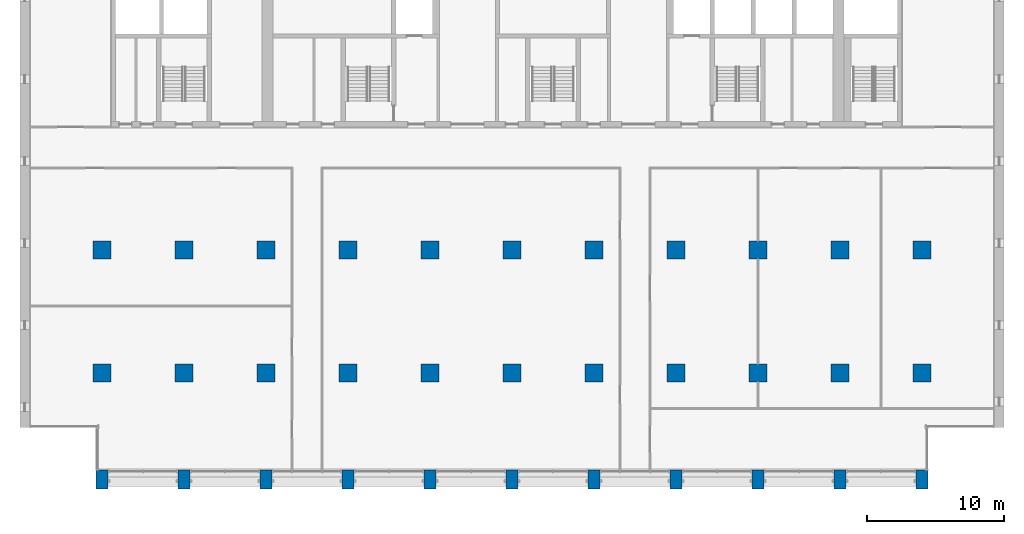
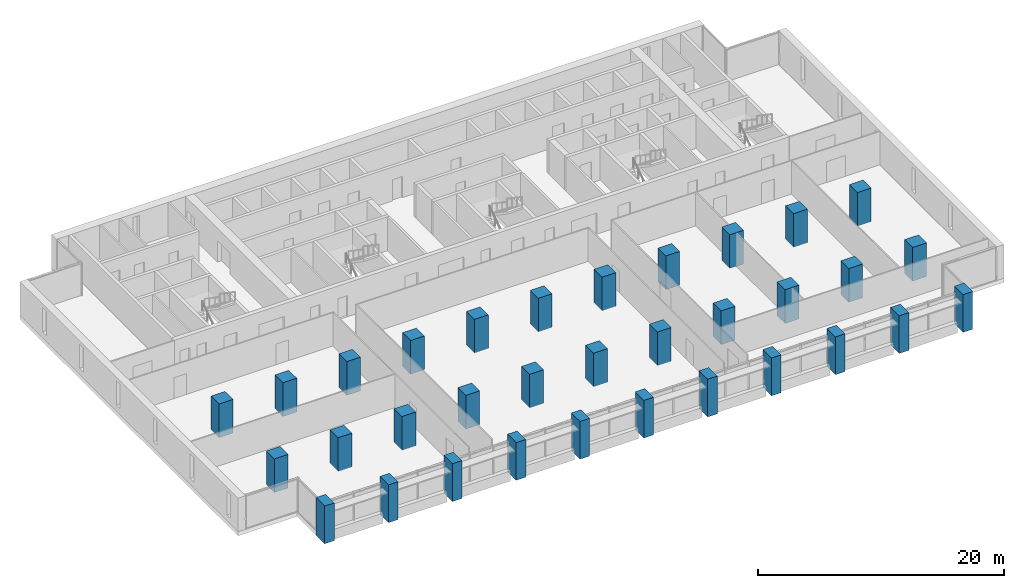
# One storey, part 1 of 15: 33 columns.
"""IFC4 building model written with IfcOpenShell, lengths in metres."""

from ifc_helpers import new_model, si_unit, direction, frame, origin, origin_2d, place, context, subcontext, project, spatial, rectangle, extrude, material, material_profile, profile_set, type_object, element, save


model = new_model("IFC4")

# Units and contexts
model_context = context("Model", 3, precision=1e-05, world=origin(), true_north=direction((0.0, 1.0)))
body_context = subcontext(model_context, "Body", "Model", "MODEL_VIEW")
ifc_project = project(units=[si_unit("LENGTHUNIT", "METRE"), si_unit("AREAUNIT", "SQUARE_METRE"), si_unit("VOLUMEUNIT", "CUBIC_METRE"), si_unit("PLANEANGLEUNIT", "RADIAN"), si_unit("MASSUNIT", "GRAM", prefix="KILO")], contexts=[model_context])

# Site, building, storey
site_placement = place(None, origin())
site = spatial("IfcSite", under=ifc_project, at=site_placement, CompositionType="ELEMENT")
building_placement = place(site_placement, origin())
building = spatial("IfcBuilding", under=site, at=building_placement, Name="Calvaro Tower", CompositionType="ELEMENT")
storey_placement = place(building_placement, frame((0.0, 0.0, 132.5)))
storey = spatial("IfcBuildingStorey", under=building, at=storey_placement, Name="L33", CompositionType="ELEMENT", Elevation=132.5)

# Columns
ifc_material_1 = material(Name="Concrete C60/75", Category="concrete")
ifc_material_profile_1 = material_profile(ifc_material_1, rectangle(XDim=1.300048828125, YDim=1.300048828125, at=origin_2d()), Name="RC 1300x1300")
ifc_profile_set_1 = profile_set([ifc_material_profile_1], Name="Concrete C60/75")
column_type_1 = type_object("IfcColumnType", Name="Column 1300x1300 C60/75", PredefinedType="COLUMN", material=ifc_profile_set_1)
for number, where, z_axis, x_axis, name in (
    (1, (6.0, 10.0, 0.0), (0.0, 0.0, 1.0), (1.0, 0.0, 0.0), "Column 2B"),
    (2, (6.0, 19.0, 0.0), (0.0, 0.0, 1.0), (1.0, 0.0, 0.0), "Column 2C"),
    (3, (12.0, 10.0, 0.0), (0.0, 0.0, 1.0), (1.0, 0.0, 0.0), "Column 3B"),
    (4, (12.0, 19.0, 0.0), (0.0, 0.0, 1.0), (1.0, 0.0, 0.0), "Column 3C"),
    (5, (18.0, 10.0, 0.0), (0.0, 0.0, 1.0), (1.0, 0.0, 0.0), "Column 4B"),
    (6, (18.0, 19.0, 0.0), (0.0, 0.0, 1.0), (1.0, 0.0, 0.0), "Column 4C"),
    (7, (24.0, 10.0, 0.0), (0.0, 0.0, 1.0), (1.0, 0.0, 0.0), "Column 5B"),
    (8, (24.0, 19.0, 0.0), (0.0, 0.0, 1.0), (1.0, 0.0, 0.0), "Column 5C"),
    (9, (30.0, 10.0, 0.0), (0.0, 0.0, 1.0), (1.0, 0.0, 0.0), "Column 6B"),
    (10, (30.0, 19.0, 0.0), (0.0, 0.0, 1.0), (1.0, 0.0, 0.0), "Column 6C"),
    (11, (36.0, 10.0, 0.0), (0.0, 0.0, 1.0), (1.0, 0.0, 0.0), "Column 7B"),
    (12, (36.0, 19.0, 0.0), (0.0, 0.0, 1.0), (1.0, 0.0, 0.0), "Column 7C"),
    (13, (42.0, 10.0, 0.0), (0.0, 0.0, 1.0), (1.0, 0.0, 0.0), "Column 8B"),
    (14, (42.0, 19.0, 0.0), (0.0, 0.0, 1.0), (1.0, 0.0, 0.0), "Column 8C"),
    (15, (48.0, 10.0, 0.0), (0.0, 0.0, 1.0), (1.0, 0.0, 0.0), "Column 9B"),
    (16, (48.0, 19.0, 0.0), (0.0, 0.0, 1.0), (1.0, 0.0, 0.0), "Column 9C"),
    (17, (54.0, 10.0, 0.0), (0.0, 0.0, 1.0), (1.0, 0.0, 0.0), "Column 10B"),
    (18, (54.0, 19.0, 0.0), (0.0, 0.0, 1.0), (1.0, 0.0, 0.0), "Column 10C"),
    (19, (60.0, 10.0, 0.0), (0.0, 0.0, 1.0), (1.0, 0.0, 0.0), "Column 11B"),
    (20, (60.0, 19.0, 0.0), (0.0, 0.0, 1.0), (1.0, 0.0, 0.0), "Column 11C"),
    (21, (66.0, 10.0, 0.0), (0.0, 0.0, 1.0), (1.0, 0.0, 0.0), "Column 12B"),
    (22, (66.0, 19.0, 0.0), (0.0, 0.0, 1.0), (1.0, 0.0, 0.0), "Column 12C"),
):
    element("IfcColumn", number, at=place(storey_placement, frame(where, z_axis=z_axis, x_axis=x_axis)), inside=storey, type_object=column_type_1, Name=name, PredefinedType="COLUMN", context=body_context, shape_type="SweptSolid", body=[
        extrude(rectangle(XDim=1.300048828125, YDim=1.300048828125, at=origin_2d()), origin(), (0.0, 0.0, 1.0), 3.35009765625),
    ])
ifc_material_2 = material(Name="Concrete C60/75", Category="concrete")
ifc_material_profile_2 = material_profile(ifc_material_2, rectangle(XDim=0.89990234375, YDim=1.39990234375, at=origin_2d()), Name="RC 900x1400")
ifc_profile_set_2 = profile_set([ifc_material_profile_2], Name="Concrete C60/75")
column_type_2 = type_object("IfcColumnType", Name="Pier 900x1400 C60/75", PredefinedType="COLUMN", material=ifc_profile_set_2)
for number, where, z_axis, x_axis, name in (
    (23, (6.0, 2.199951171875, -0.39990234375), (0.0, 0.0, 1.0), (1.0, 0.0, 0.0), "South pier 2"),
    (24, (12.0, 2.199951171875, -0.39990234375), (0.0, 0.0, 1.0), (1.0, 0.0, 0.0), "South pier 3"),
    (25, (18.0, 2.199951171875, -0.39990234375), (0.0, 0.0, 1.0), (1.0, 0.0, 0.0), "South pier 4"),
    (26, (24.0, 2.199951171875, -0.39990234375), (0.0, 0.0, 1.0), (1.0, 0.0, 0.0), "South pier 5"),
    (27, (30.0, 2.199951171875, -0.39990234375), (0.0, 0.0, 1.0), (1.0, 0.0, 0.0), "South pier 6"),
    (28, (36.0, 2.199951171875, -0.39990234375), (0.0, 0.0, 1.0), (1.0, 0.0, 0.0), "South pier 7"),
    (29, (42.0, 2.199951171875, -0.39990234375), (0.0, 0.0, 1.0), (1.0, 0.0, 0.0), "South pier 8"),
    (30, (48.0, 2.199951171875, -0.39990234375), (0.0, 0.0, 1.0), (1.0, 0.0, 0.0), "South pier 9"),
    (31, (54.0, 2.199951171875, -0.39990234375), (0.0, 0.0, 1.0), (1.0, 0.0, 0.0), "South pier 10"),
    (32, (60.0, 2.199951171875, -0.39990234375), (0.0, 0.0, 1.0), (1.0, 0.0, 0.0), "South pier 11"),
    (33, (66.0, 2.199951171875, -0.39990234375), (0.0, 0.0, 1.0), (1.0, 0.0, 0.0), "South pier 12"),
):
    element("IfcColumn", number, at=place(storey_placement, frame(where, z_axis=z_axis, x_axis=x_axis)), inside=storey, type_object=column_type_2, Name=name, PredefinedType="COLUMN", context=body_context, shape_type="SweptSolid", body=[
        extrude(rectangle(XDim=0.89990234375, YDim=1.39990234375, at=origin_2d()), origin(), (0.0, 0.0, 1.0), 3.75),
    ])

save(model, "model.ifc")
